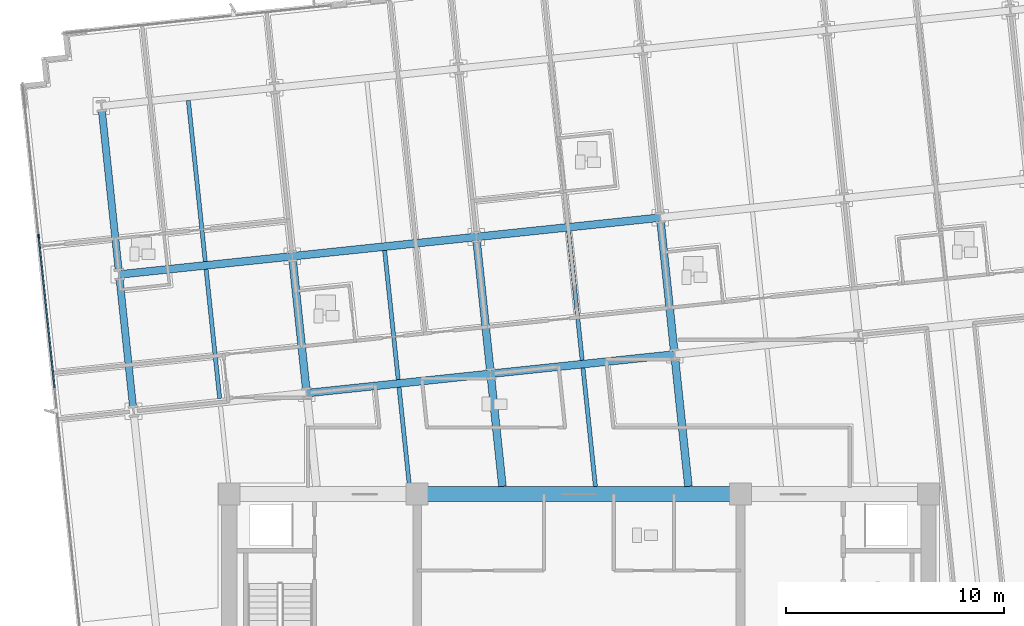
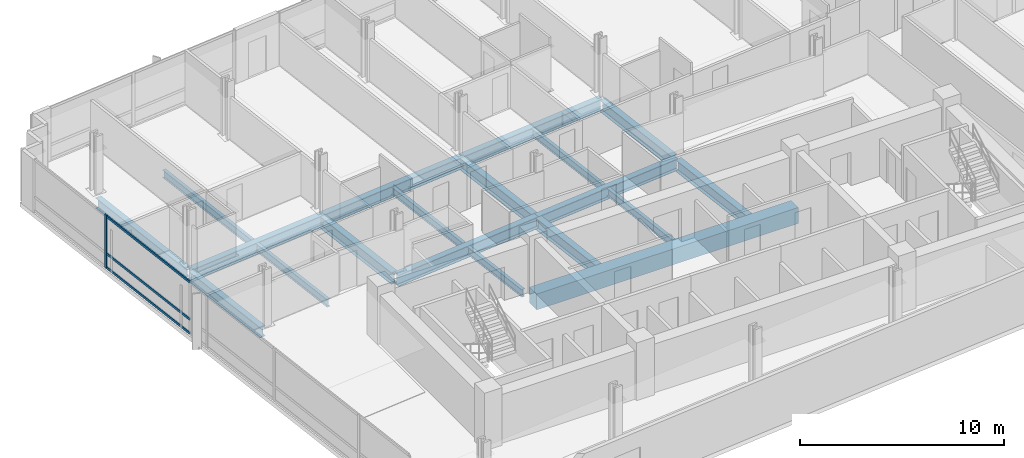
# One storey, part 3 of 19: 19 beams, 4 members, 1 element without a shape of its own.
"""IFC4 building model written with IfcOpenShell, lengths in metres."""

import ifcopenshell
import ifcopenshell.guid

model = None  # the IFC model being written
_history = None  # IfcOwnerHistory: only IFC2X3 demands one
_inside = {}  # id of a spatial element -> (the spatial element, [elements in it])
_under = {}  # id of a project, library or spatial element -> (it, [spatial elements below it])
_declared = {}  # id of a project -> (the project, [libraries it declares])
_typed = {}  # id of a type object -> (the type object, [elements of that type])
_made_of = {}  # id of a material, layer set ... -> (it, [elements and type objects made of it])


def new_model(schema):
    """Start an empty IFC model of exactly this schema.

    Asked for "IFC4X3", IfcOpenShell would pick the latest addendum, in which some entities
    have other attributes; the version numbers below select the first issue.
    IFC2X3 requires an IfcOwnerHistory on every rooted entity: one is made here for all.
    """
    global model, _history
    if schema == "IFC4X3":
        model = ifcopenshell.file(schema_version=(4, 3, 0, 0))
    else:
        model = ifcopenshell.file(schema=schema)
    _inside.clear()
    _under.clear()
    _declared.clear()
    _typed.clear()
    _made_of.clear()
    _history = None
    if model.schema == "IFC2X3":
        org = make("IfcOrganization", Name="unknown")
        user = make(
            "IfcPersonAndOrganization",
            ThePerson=make("IfcPerson", FamilyName="unknown"),
            TheOrganization=org,
        )
        app = make(
            "IfcApplication",
            ApplicationDeveloper=org,
            Version="unknown",
            ApplicationFullName="unknown",
            ApplicationIdentifier="unknown",
        )
        _history = make(
            "IfcOwnerHistory",
            OwningUser=user,
            OwningApplication=app,
            ChangeAction="ADDED",
            CreationDate=0,
        )
    return model


def make(cls, **values):
    """One entity of the class cls with the attributes given. An attribute that is None is left unset."""
    return model.create_entity(
        cls, **{name: value for name, value in values.items() if value is not None}
    )


def rooted(cls, **values):
    """An entity with a GlobalId (a new one), such as an element, a storey or a relation."""
    return make(cls, GlobalId=ifcopenshell.guid.new(), OwnerHistory=_history, **values)


def si_unit(unit_type, name, prefix=None):
    """IfcSIUnit, for example si_unit("LENGTHUNIT", "METRE", prefix="MILLI")."""
    return make("IfcSIUnit", UnitType=unit_type, Prefix=prefix, Name=name)


def assignment(units):
    """IfcUnitAssignment: the units of a project."""
    return None if units is None else make("IfcUnitAssignment", Units=units)


def point(xyz):
    """IfcCartesianPoint."""
    return None if xyz is None else make("IfcCartesianPoint", Coordinates=xyz)


def direction(xyz):
    """IfcDirection."""
    return None if xyz is None else make("IfcDirection", DirectionRatios=xyz)


def frame(location, z_axis=None, x_axis=None):
    """IfcAxis2Placement3D, a coordinate frame: its origin and axes. An axis left out is left unset."""
    return make(
        "IfcAxis2Placement3D",
        Location=point(location),
        Axis=direction(z_axis),
        RefDirection=direction(x_axis),
    )


def frame_2d(location, x_axis=None):
    """IfcAxis2Placement2D, a coordinate frame in the plane: its origin and x axis."""
    return make(
        "IfcAxis2Placement2D", Location=point(location), RefDirection=direction(x_axis)
    )


def origin():
    """The frame at (0, 0, 0) with its axes left unset."""
    return frame((0.0, 0.0, 0.0))


def origin_2d():
    """The frame at (0, 0) in the plane with its x axis left unset."""
    return frame_2d((0.0, 0.0))


def place(relative_to, where):
    """IfcLocalPlacement: puts the frame where relative to a parent placement (None: the world)."""
    return make(
        "IfcLocalPlacement", PlacementRelTo=relative_to, RelativePlacement=where
    )


def context(
    kind, dimensions, precision=None, world=None, true_north=None, identifier=None
):
    """IfcGeometricRepresentationContext, for example the 3D "Model" context."""
    return make(
        "IfcGeometricRepresentationContext",
        ContextIdentifier=identifier,
        ContextType=kind,
        CoordinateSpaceDimension=dimensions,
        Precision=precision,
        WorldCoordinateSystem=world,
        TrueNorth=true_north,
    )


def subcontext(parent, identifier, kind, view, scale=None):
    """IfcGeometricRepresentationSubContext, for example "Body" below "Model"."""
    return make(
        "IfcGeometricRepresentationSubContext",
        ContextIdentifier=identifier,
        ContextType=kind,
        ParentContext=parent,
        TargetScale=scale,
        TargetView=view,
    )


def project(units=None, contexts=None):
    """IfcProject with its units and contexts."""
    return rooted(
        "IfcProject",
        Name="project",
        RepresentationContexts=contexts,
        UnitsInContext=assignment(units),
    )


def spatial(cls, under=None, at=None, **own):
    """A site, building, storey or space (cls), placed at a placement, below another one or the project."""
    s = rooted(cls, ObjectPlacement=at, **own)
    if under is not None:
        _under.setdefault(under.id(), (under, []))[1].append(s)
    return s


def profile(cls, at=None, kind="AREA", **sizes):
    """A parametric profile (cls). Its sizes go by their IFC names, for example OverallWidth=200.0."""
    return make(cls, ProfileType=kind, Position=at, **sizes)


def rectangle(**sizes):
    """IfcRectangleProfileDef."""
    return profile("IfcRectangleProfileDef", **sizes)


def i_section(**sizes):
    """IfcIShapeProfileDef."""
    return profile("IfcIShapeProfileDef", **sizes)


def extrude(swept, where, along, depth):
    """IfcExtrudedAreaSolid: the profile swept, set in the frame where, extruded along a direction by depth."""
    return make(
        "IfcExtrudedAreaSolid",
        SweptArea=swept,
        Position=where,
        ExtrudedDirection=direction(along),
        Depth=depth,
    )


def shape(context_of_items, identifier, shape_type, items):
    """IfcShapeRepresentation: the items that make up one representation, for example the "Body"."""
    return make(
        "IfcShapeRepresentation",
        ContextOfItems=context_of_items,
        RepresentationIdentifier=identifier,
        RepresentationType=shape_type,
        Items=items,
    )


def material(Name=None, Category=None):
    """IfcMaterial."""
    return make("IfcMaterial", Name=Name, Category=Category)


def material_profile(
    of_material, cross_section, Name=None, Category=None, Priority=None
):
    """IfcMaterialProfile: a cross section and its material."""
    return make(
        "IfcMaterialProfile",
        Name=Name,
        Material=of_material,
        Profile=cross_section,
        Priority=Priority,
        Category=Category,
    )


def profile_set(profiles, Name=None, composite=None):
    """IfcMaterialProfileSet."""
    return make(
        "IfcMaterialProfileSet",
        Name=Name,
        MaterialProfiles=profiles,
        CompositeProfile=composite,
    )


def made_of(thing, what):
    """Note that an element or type object is made of a material, layer set ...; save() writes the relation."""
    if what is not None:
        _made_of.setdefault(what.id(), (what, []))[1].append(thing)
    return thing


def type_object(cls, material=None, **own):
    """A type object (cls), such as IfcWallType, which elements share."""
    return made_of(rooted(cls, **own), material)


def element(
    cls,
    number,
    at=None,
    inside=None,
    cuts=None,
    type_object=None,
    material=None,
    context=None,
    identifier="Body",
    shape_type=None,
    held_by="IfcProductDefinitionShape",
    body=None,
    shapes=None,
    **own,
):
    """One element of the class cls, such as IfcWall. Its Tag is "e" and its number.

    at: its placement. inside: the storey or other place that contains it. cuts: it is an
    opening in that element (IfcRelVoidsElement). A single representation is given by context,
    identifier, shape_type and body (its items); several are given by shapes. held_by: the class
    of the entity that holds the representations. save() writes the other relations.
    """
    e = rooted(cls, Tag="e%d" % number, ObjectPlacement=at, **own)
    if body is not None:
        shapes = [shape(context, identifier, shape_type, body)]
    if shapes is not None:
        e.Representation = make(held_by, Representations=shapes)
    if inside is not None:
        _inside.setdefault(inside.id(), (inside, []))[1].append(e)
    if cuts is not None:
        rooted(
            "IfcRelVoidsElement", RelatingBuildingElement=cuts, RelatedOpeningElement=e
        )
    if type_object is not None:
        _typed.setdefault(type_object.id(), (type_object, []))[1].append(e)
    return made_of(e, material)


def aggregate(whole, parts):
    """IfcRelAggregates: a whole, such as a stair, and the parts it consists of."""
    return rooted("IfcRelAggregates", RelatingObject=whole, RelatedObjects=parts)


def save(model, path):
    """Write the relations noted so far, then the file.

    IfcRelAggregates (storeys below a building ...), IfcRelContainedInSpatialStructure (elements
    in a storey), IfcRelDefinesByType, IfcRelAssociatesMaterial and IfcRelDeclares: one each for
    every whole, place, type object, material and project.
    """
    for whole, parts in _under.values():
        aggregate(whole, parts)
    for where, things in _inside.values():
        rooted(
            "IfcRelContainedInSpatialStructure",
            RelatedElements=things,
            RelatingStructure=where,
        )
    for kind, things in _typed.values():
        rooted("IfcRelDefinesByType", RelatedObjects=things, RelatingType=kind)
    for what, things in _made_of.values():
        rooted("IfcRelAssociatesMaterial", RelatedObjects=things, RelatingMaterial=what)
    for by, libraries in _declared.values():
        rooted("IfcRelDeclares", RelatingContext=by, RelatedDefinitions=libraries)
    model.write(path)


model = new_model("IFC4")

# Units and contexts
model_context = context("Model", 3, precision=1e-05, world=origin(), true_north=direction((0.0, 1.0)))
body_context = subcontext(model_context, "Body", "Model", "MODEL_VIEW")
ifc_project = project(units=[si_unit("LENGTHUNIT", "METRE"), si_unit("AREAUNIT", "SQUARE_METRE"), si_unit("VOLUMEUNIT", "CUBIC_METRE"), si_unit("PLANEANGLEUNIT", "RADIAN"), si_unit("MASSUNIT", "GRAM", prefix="KILO")], contexts=[model_context])

# Site, building, storey
site_placement = place(None, origin())
site = spatial("IfcSite", under=ifc_project, at=site_placement, CompositionType="ELEMENT")
building_placement = place(site_placement, origin())
building = spatial("IfcBuilding", under=site, at=building_placement, Name="Solmavex Isthmus Hotel", CompositionType="ELEMENT")
storey_placement = place(building_placement, frame((0.0, 0.0, 83.550048828125)))
storey = spatial("IfcBuildingStorey", under=building, at=storey_placement, Name="L22", CompositionType="ELEMENT", Elevation=83.550048828125)

# Beams
ifc_material_1 = material(Name="Steel ASTM A992 Grade 50", Category="steel")
ifc_material_profile_1 = material_profile(ifc_material_1, i_section(OverallWidth=0.354736328125, OverallDepth=0.695556640625, WebThickness=0.015380859375, FlangeThickness=0.02490234375, FilletRadius=0.017822265625, at=origin_2d()), Name="W27X146")
ifc_profile_set_1 = profile_set([ifc_material_profile_1], Name="Steel ASTM A992 Grade 50")
beam_type_1 = type_object("IfcBeamType", Name="BM-BG-W27X146", PredefinedType="BEAM", material=ifc_profile_set_1)
beam_1_placement = place(storey_placement, frame((-12.458740234375, 2.11865234375, -0.60791015625), z_axis=(0.994521085209, 0.104536171134, 0.0), x_axis=(-0.104536171134, 0.994521085209, 0.0)))
element("IfcBeam", 1, at=beam_1_placement, inside=storey, type_object=beam_type_1, Name="Floor Girder L22-UG08", PredefinedType="BEAM", context=body_context, shape_type="SweptSolid", body=[
    extrude(i_section(OverallWidth=0.354736328125, OverallDepth=0.695556640625, WebThickness=0.015380859375, FlangeThickness=0.02490234375, FilletRadius=0.017822265625, at=origin_2d()), origin(), (0.0, 0.0, 1.0), 8.466064453125),
])
beam_2_placement = place(storey_placement, frame((-4.0390625, 3.003662109375, -0.60791015625), z_axis=(0.994523767887, 0.104510645909, 0.0), x_axis=(-0.104510645909, 0.994523767887, 0.0)))
element("IfcBeam", 2, at=beam_2_placement, inside=storey, type_object=beam_type_1, Name="Floor Girder L22-UG09", PredefinedType="BEAM", context=body_context, shape_type="SweptSolid", body=[
    extrude(i_section(OverallWidth=0.354736328125, OverallDepth=0.695556640625, WebThickness=0.015380859375, FlangeThickness=0.02490234375, FilletRadius=0.017822265625, at=origin_2d()), origin(), (0.0, 0.0, 1.0), 8.4658203125),
])
beam_3_placement = place(storey_placement, frame((-21.04150390625, 7.54931640625, -0.60791015625), z_axis=(0.994523402738, 0.104514120609, 0.0), x_axis=(-0.104514120609, 0.994523402738, 0.0)))
element("IfcBeam", 3, at=beam_3_placement, inside=storey, type_object=beam_type_1, Name="Floor Girder L22-UG13", PredefinedType="BEAM", context=body_context, shape_type="SweptSolid", body=[
    extrude(i_section(OverallWidth=0.354736328125, OverallDepth=0.695556640625, WebThickness=0.015380859375, FlangeThickness=0.02490234375, FilletRadius=0.017822265625, at=origin_2d()), origin(), (0.0, 0.0, 1.0), 7.968017578125),
])
for number, where, z_axis, x_axis, name in (
    (4, (-13.1171875, 8.382080078125, -0.60791015625), (0.994521085209, 0.104536171134, 0.0), (-0.104536171134, 0.994521085209, 0.0), "Floor Girder L22-UG14"),
    (5, (-4.697509765625, 9.26708984375, -0.60791015625), (0.994521085209, 0.104536171134, 0.0), (-0.104536171134, 0.994521085209, 0.0), "Floor Girder L22-UG15"),
):
    element("IfcBeam", number, at=place(storey_placement, frame(where, z_axis=z_axis, x_axis=x_axis)), inside=storey, type_object=beam_type_1, Name=name, PredefinedType="BEAM", context=body_context, shape_type="SweptSolid", body=[
        extrude(i_section(OverallWidth=0.354736328125, OverallDepth=0.695556640625, WebThickness=0.015380859375, FlangeThickness=0.02490234375, FilletRadius=0.017822265625, at=origin_2d()), origin(), (0.0, 0.0, 1.0), 8.466064453125),
    ])
beam_4_placement = place(storey_placement, frame((-12.477294921875, 2.295166015625, -0.60791015625), z_axis=(-0.104545790518, 0.994520074048, 0.0), x_axis=(-0.994520074048, -0.104545790518, 0.0)))
element("IfcBeam", 6, at=beam_4_placement, inside=storey, type_object=beam_type_1, Name="Floor Beam L22-VG30", PredefinedType="BEAM", context=body_context, shape_type="SweptSolid", body=[
    extrude(i_section(OverallWidth=0.354736328125, OverallDepth=0.695556640625, WebThickness=0.015380859375, FlangeThickness=0.02490234375, FilletRadius=0.017822265625, at=origin_2d()), origin(), (0.0, 0.0, 1.0), 5.943115234375),
])
beam_5_placement = place(storey_placement, frame((-3.49755859375, -2.14990234375, -0.60791015625), z_axis=(-0.104496861251, 0.994525216366, 0.0), x_axis=(-0.994525216366, -0.104496861251, 0.0)))
element("IfcBeam", 7, at=beam_5_placement, inside=storey, type_object=beam_type_1, Name="Floor Beam L22-VG33", PredefinedType="BEAM", context=body_context, shape_type="SweptSolid", body=[
    extrude(i_section(OverallWidth=0.354736328125, OverallDepth=0.695556640625, WebThickness=0.015380859375, FlangeThickness=0.02490234375, FilletRadius=0.017822265625, at=origin_2d()), origin(), (0.0, 0.0, 1.0), 5.00439453125),
])
beam_6_placement = place(storey_placement, frame((-4.0576171875, 3.179931640625, -0.60791015625), z_axis=(-0.104545790518, 0.994520074048, 0.0), x_axis=(-0.994520074048, -0.104545790518, 0.0)))
element("IfcBeam", 8, at=beam_6_placement, inside=storey, type_object=beam_type_1, Name="Floor Beam L22-VG34", PredefinedType="BEAM", context=body_context, shape_type="SweptSolid", body=[
    extrude(i_section(OverallWidth=0.354736328125, OverallDepth=0.695556640625, WebThickness=0.015380859375, FlangeThickness=0.02490234375, FilletRadius=0.017822265625, at=origin_2d()), origin(), (0.0, 0.0, 1.0), 5.943115234375),
])
beam_7_placement = place(storey_placement, frame((5.01513671875, -2.14990234375, -0.60791015625), z_axis=(-0.104542482388, 0.994520421799, 0.0), x_axis=(-0.994520421799, -0.104542482388, 0.0)))
element("IfcBeam", 9, at=beam_7_placement, inside=storey, type_object=beam_type_1, Name="Floor Beam L22-VG37", PredefinedType="BEAM", context=body_context, shape_type="SweptSolid", body=[
    extrude(i_section(OverallWidth=0.354736328125, OverallDepth=0.695556640625, WebThickness=0.015380859375, FlangeThickness=0.02490234375, FilletRadius=0.017822265625, at=origin_2d()), origin(), (0.0, 0.0, 1.0), 5.894287109375),
])
beam_8_placement = place(storey_placement, frame((4.362060546875, 4.06494140625, -0.60791015625), z_axis=(-0.104545790518, 0.994520074048, 0.0), x_axis=(-0.994520074048, -0.104545790518, 0.0)))
element("IfcBeam", 10, at=beam_8_placement, inside=storey, type_object=beam_type_1, Name="Floor Beam L22-VG38", PredefinedType="BEAM", context=body_context, shape_type="SweptSolid", body=[
    extrude(i_section(OverallWidth=0.354736328125, OverallDepth=0.695556640625, WebThickness=0.015380859375, FlangeThickness=0.02490234375, FilletRadius=0.017822265625, at=origin_2d()), origin(), (0.0, 0.0, 1.0), 5.943115234375),
])
ifc_material_profile_2 = material_profile(ifc_material_1, i_section(OverallWidth=0.1904296875, OverallDepth=0.456787109375, WebThickness=0.009033203125, FlangeThickness=0.014404296875, FilletRadius=0.0126953125, at=origin_2d()), Name="W18X50")
ifc_profile_set_2 = profile_set([ifc_material_profile_2], Name="Steel ASTM A992 Grade 50")
beam_type_2 = type_object("IfcBeamType", Name="BM-BJ-W18X50", PredefinedType="JOIST", material=ifc_profile_set_2)
beam_9_placement = place(storey_placement, frame((-16.439453125, 1.878662109375, -0.488525390625), z_axis=(-0.104545790518, 0.994520074048, 0.0), x_axis=(-0.994520074048, -0.104545790518, 0.0)))
element("IfcBeam", 11, at=beam_9_placement, inside=storey, type_object=beam_type_2, Name="Secondary Floor Joist L22-J03", PredefinedType="JOIST", context=body_context, shape_type="SweptSolid", body=[
    extrude(i_section(OverallWidth=0.1904296875, OverallDepth=0.456787109375, WebThickness=0.009033203125, FlangeThickness=0.014404296875, FilletRadius=0.0126953125, at=origin_2d()), origin(), (0.0, 0.0, 1.0), 5.943115234375),
])
beam_10_placement = place(storey_placement, frame((-17.097900390625, 8.14208984375, -0.488525390625), z_axis=(-0.104525307271, 0.994522227072, 0.0), x_axis=(-0.994522227072, -0.104525307271, 0.0)))
element("IfcBeam", 12, at=beam_10_placement, inside=storey, type_object=beam_type_2, Name="Secondary Floor Joist L22-J04", PredefinedType="JOIST", context=body_context, shape_type="SweptSolid", body=[
    extrude(i_section(OverallWidth=0.1904296875, OverallDepth=0.456787109375, WebThickness=0.009033203125, FlangeThickness=0.014404296875, FilletRadius=0.0126953125, at=origin_2d()), origin(), (0.0, 0.0, 1.0), 7.4111328125),
])
beam_11_placement = place(storey_placement, frame((-7.75390625, -2.14990234375, -0.488525390625), z_axis=(-0.104517550263, 0.994523042311, 0.0), x_axis=(-0.994523042311, -0.104517550263, 0.0)))
element("IfcBeam", 13, at=beam_11_placement, inside=storey, type_object=beam_type_2, Name="Secondary Floor Joist L22-J06", PredefinedType="JOIST", context=body_context, shape_type="SweptSolid", body=[
    extrude(i_section(OverallWidth=0.1904296875, OverallDepth=0.456787109375, WebThickness=0.009033203125, FlangeThickness=0.014404296875, FilletRadius=0.0126953125, at=origin_2d()), origin(), (0.0, 0.0, 1.0), 4.5595703125),
])
beam_12_placement = place(storey_placement, frame((-8.267578125, 2.737548828125, -0.488525390625), z_axis=(-0.104505160346, 0.994524344328, 0.0), x_axis=(-0.994524344328, -0.104505160346, 0.0)))
element("IfcBeam", 14, at=beam_12_placement, inside=storey, type_object=beam_type_2, Name="Secondary Floor Joist L22-J07", PredefinedType="JOIST", context=body_context, shape_type="SweptSolid", body=[
    extrude(i_section(OverallWidth=0.1904296875, OverallDepth=0.456787109375, WebThickness=0.009033203125, FlangeThickness=0.014404296875, FilletRadius=0.0126953125, at=origin_2d()), origin(), (0.0, 0.0, 1.0), 5.943115234375),
])
beam_13_placement = place(storey_placement, frame((0.7587890625, -2.14990234375, -0.488525390625), z_axis=(-0.104523862956, 0.99452237887, 0.0), x_axis=(-0.99452237887, -0.104523862956, 0.0)))
element("IfcBeam", 15, at=beam_13_placement, inside=storey, type_object=beam_type_2, Name="Secondary Floor Joist L22-J10", PredefinedType="JOIST", context=body_context, shape_type="SweptSolid", body=[
    extrude(i_section(OverallWidth=0.1904296875, OverallDepth=0.456787109375, WebThickness=0.009033203125, FlangeThickness=0.014404296875, FilletRadius=0.0126953125, at=origin_2d()), origin(), (0.0, 0.0, 1.0), 5.44921875),
])
beam_14_placement = place(storey_placement, frame((0.152099609375, 3.62255859375, -0.488525390625), z_axis=(-0.104505160346, 0.994524344328, 0.0), x_axis=(-0.994524344328, -0.104505160346, 0.0)))
element("IfcBeam", 16, at=beam_14_placement, inside=storey, type_object=beam_type_2, Name="Secondary Floor Joist L22-J11", PredefinedType="JOIST", context=body_context, shape_type="SweptSolid", body=[
    extrude(i_section(OverallWidth=0.1904296875, OverallDepth=0.456787109375, WebThickness=0.009033203125, FlangeThickness=0.014404296875, FilletRadius=0.0126953125, at=origin_2d()), origin(), (0.0, 0.0, 1.0), 5.943115234375),
])
ifc_material_2 = material(Name="Concrete C60/75", Category="concrete")
ifc_material_profile_3 = material_profile(ifc_material_2, rectangle(XDim=0.699951171875, YDim=0.949951171875, at=origin_2d()), Name="RC700X950")
ifc_profile_set_3 = profile_set([ifc_material_profile_3], Name="Concrete C60/75")
beam_type_3 = type_object("IfcBeamType", Name="BM-CB-700X950", PredefinedType="BEAM", material=ifc_profile_set_3)
beam_15_placement = place(storey_placement, frame((-7.39990234375, -2.5, -0.735107421875), z_axis=(1.0, 0.0, 0.0), x_axis=(0.0, 1.0, 0.0)))
element("IfcBeam", 17, at=beam_15_placement, inside=storey, type_object=beam_type_3, Name="Core Coupling Beam L22-CB5", PredefinedType="BEAM", context=body_context, shape_type="SweptSolid", body=[
    extrude(rectangle(XDim=0.699951171875, YDim=0.949951171875, at=origin_2d()), origin(), (0.0, 0.0, 1.0), 14.7998046875),
])
ifc_material_profile_4 = material_profile(ifc_material_1, i_section(OverallWidth=0.326416015625, OverallDepth=0.621826171875, WebThickness=0.015380859375, FlangeThickness=0.0244140625, FilletRadius=0.01513671875, at=origin_2d()), Name="W24X131")
ifc_profile_set_4 = profile_set([ifc_material_profile_4], Name="Steel ASTM A992 Grade 50")
beam_type_4 = type_object("IfcBeamType", Name="BM-SP-W24X131", PredefinedType="SPANDREL", material=ifc_profile_set_4)
beam_16_placement = place(storey_placement, frame((-20.401611328125, 1.462158203125, -0.571044921875), z_axis=(-0.104545790518, 0.994520074048, 0.0), x_axis=(-0.994520074048, -0.104545790518, 0.0)))
element("IfcBeam", 18, at=beam_16_placement, inside=storey, type_object=beam_type_4, Name="Floor Beam L22-VG26", PredefinedType="SPANDREL", context=body_context, shape_type="SweptSolid", body=[
    extrude(i_section(OverallWidth=0.326416015625, OverallDepth=0.621826171875, WebThickness=0.015380859375, FlangeThickness=0.0244140625, FilletRadius=0.01513671875, at=origin_2d()), origin(), (0.0, 0.0, 1.0), 5.943115234375),
])
beam_17_placement = place(storey_placement, frame((-21.06005859375, 7.7255859375, -0.571044921875), z_axis=(-0.10452188296, 0.994522586964, 0.0), x_axis=(-0.994522586964, -0.10452188296, 0.0)))
element("IfcBeam", 19, at=beam_17_placement, inside=storey, type_object=beam_type_4, Name="Floor Beam L22-VG27", PredefinedType="SPANDREL", context=body_context, shape_type="SweptSolid", body=[
    extrude(i_section(OverallWidth=0.326416015625, OverallDepth=0.621826171875, WebThickness=0.015380859375, FlangeThickness=0.0244140625, FilletRadius=0.01513671875, at=origin_2d()), origin(), (0.0, 0.0, 1.0), 7.411376953125),
])

# Curtain wall, members
ifc_material_3 = material(Name="Aluminium alloy 6063-T6", Category="aluminium")
curtain_wall_type = type_object("IfcCurtainWallType", Name="CW-SYS-03", PredefinedType="NOTDEFINED", material=ifc_material_3)
curtain_wall_placement = place(storey_placement, origin())
curtain_wall = element("IfcCurtainWall", 20, at=curtain_wall_placement, inside=storey, type_object=curtain_wall_type, Name="Stick Curtain Wall CWL-L22-W1", PredefinedType="NOTDEFINED")
ifc_material_profile_5 = material_profile(ifc_material_3, rectangle(XDim=0.070068359375, YDim=0.179931640625, at=origin_2d()), Name="CWM-70X180")
ifc_profile_set_5 = profile_set([ifc_material_profile_5], Name="Aluminium alloy 6063-T6")
member_type_1 = type_object("IfcMemberType", Name="CW-SYS-03-MUL", PredefinedType="MULLION", material=ifc_profile_set_5)
member_1_placement = place(storey_placement, frame((-24.725341796875, 9.305908203125, 0.0), z_axis=(0.0, 0.0, 1.0), x_axis=(-0.994521893044, -0.104528485381, 0.0)))
member_1 = element("IfcMember", 21, at=member_1_placement, type_object=member_type_1, Name="CW-03 mullion 5", PredefinedType="MULLION", context=body_context, shape_type="SweptSolid", body=[
    extrude(rectangle(XDim=0.070068359375, YDim=0.179931640625, at=origin_2d()), origin(), (0.0, 0.0, 1.0), 3.18994140625),
])
ifc_material_profile_6 = material_profile(ifc_material_3, rectangle(XDim=0.070068359375, YDim=0.139892578125, at=origin_2d()), Name="CWT-70X140")
ifc_profile_set_6 = profile_set([ifc_material_profile_6], Name="Aluminium alloy 6063-T6")
member_type_2 = type_object("IfcMemberType", Name="CW-SYS-03-TRN", PredefinedType="USERDEFINED", material=ifc_profile_set_6)
member_2_placement = place(storey_placement, frame((-23.9951171875, 2.359130859375, 0.070068359375), z_axis=(-0.104542152467, 0.99452045648, 0.0), x_axis=(-0.99452045648, -0.104542152467, 0.0)))
member_2 = element("IfcMember", 22, at=member_2_placement, type_object=member_type_2, Name="CW-03 transom 4.1", ObjectType="TRANSOM", PredefinedType="USERDEFINED", context=body_context, shape_type="SweptSolid", body=[
    extrude(rectangle(XDim=0.070068359375, YDim=0.139892578125, at=origin_2d()), origin(), (0.0, 0.0, 1.0), 6.949951171875),
])
member_3_placement = place(storey_placement, frame((-23.9951171875, 2.359130859375, 0.89990234375), z_axis=(-0.104542152467, 0.99452045648, 0.0), x_axis=(-0.99452045648, -0.104542152467, 0.0)))
member_3 = element("IfcMember", 23, at=member_3_placement, type_object=member_type_2, Name="CW-03 transom 4.2", ObjectType="TRANSOM", PredefinedType="USERDEFINED", context=body_context, shape_type="SweptSolid", body=[
    extrude(rectangle(XDim=0.070068359375, YDim=0.139892578125, at=origin_2d()), origin(), (0.0, 0.0, 1.0), 6.949951171875),
])
member_4_placement = place(storey_placement, frame((-23.9951171875, 2.359130859375, 3.119873046875), z_axis=(-0.104542152467, 0.99452045648, 0.0), x_axis=(-0.99452045648, -0.104542152467, 0.0)))
member_4 = element("IfcMember", 24, at=member_4_placement, type_object=member_type_2, Name="CW-03 transom 4.3", ObjectType="TRANSOM", PredefinedType="USERDEFINED", context=body_context, shape_type="SweptSolid", body=[
    extrude(rectangle(XDim=0.070068359375, YDim=0.139892578125, at=origin_2d()), origin(), (0.0, 0.0, 1.0), 6.949951171875),
])
aggregate(curtain_wall, [member_1, member_2, member_3, member_4])

save(model, "model.ifc")
